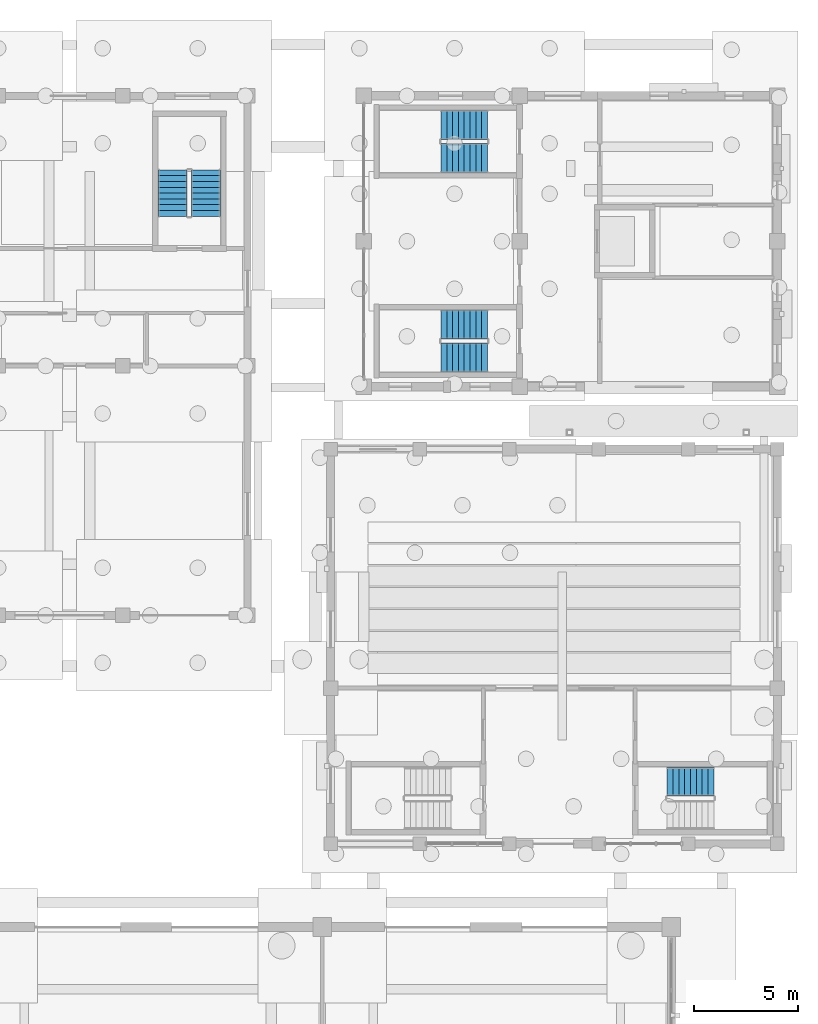
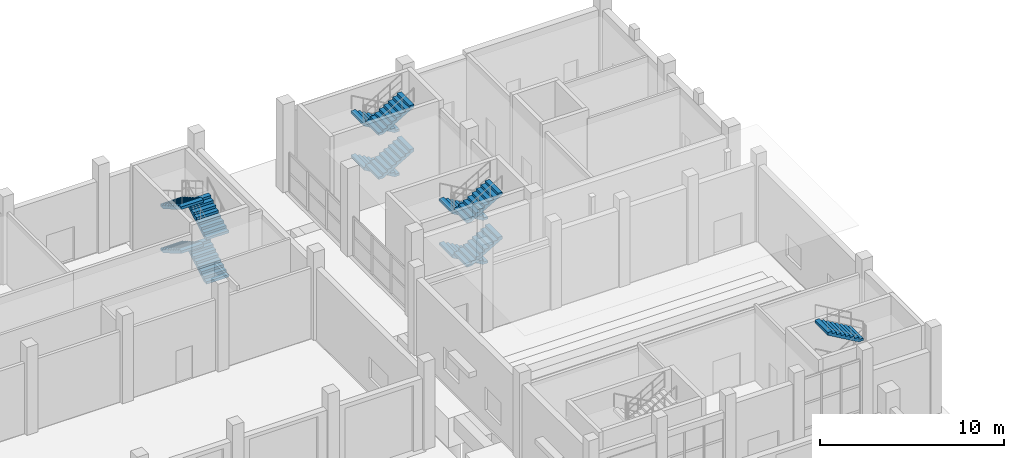
# One storey, part 46 of 60: 13 stair flights, 4 elements without a shape of their own.
"""IFC4 building model written with IfcOpenShell, lengths in metres."""

from ifc_helpers import new_model, si_unit, direction, frame, origin, place, context, subcontext, project, spatial, polyline, outline, extrude, material, type_object, element, aggregate, save


model = new_model("IFC4")

# Units and contexts
model_context = context("Model", 3, precision=1e-05, world=origin(), true_north=direction((0.0, 1.0)))
body_context = subcontext(model_context, "Body", "Model", "MODEL_VIEW")
ifc_project = project(units=[si_unit("LENGTHUNIT", "METRE"), si_unit("AREAUNIT", "SQUARE_METRE"), si_unit("VOLUMEUNIT", "CUBIC_METRE"), si_unit("PLANEANGLEUNIT", "RADIAN"), si_unit("MASSUNIT", "GRAM", prefix="KILO")], contexts=[model_context])

# Site, building, storey
site_placement = place(None, origin())
site = spatial("IfcSite", under=ifc_project, at=site_placement, CompositionType="ELEMENT")
building_placement = place(site_placement, origin())
building = spatial("IfcBuilding", under=site, at=building_placement, Name="Trellovar Central Fire Station", CompositionType="ELEMENT")
storey_placement = place(building_placement, origin())
storey = spatial("IfcBuildingStorey", under=building, at=storey_placement, Name="L01", CompositionType="ELEMENT", Elevation=0.0)

# Stair, stair flights
ifc_material_1 = material(Name="Concrete C40/50", Category="concrete")
stair_type = type_object("IfcStairType", Name="ST-R1625", PredefinedType="HALF_TURN_STAIR", material=ifc_material_1)
stair_1_placement = place(storey_placement, origin())
stair_1 = element("IfcStair", 1, at=stair_1_placement, inside=storey, type_object=stair_type, Name="L01 Protected exit stair ST-05", PredefinedType="HALF_TURN_STAIR")
ifc_material_2 = material(Name="Concrete C40/50", Category="concrete")
stair_flight_type = type_object("IfcStairFlightType", Name="STF-R1625", PredefinedType="STRAIGHT", material=ifc_material_2)
stair_flight_1_placement = place(storey_placement, frame((147.050048828125, 62.0, 0.0), z_axis=(0.0, 0.0, 1.0), x_axis=(-1.0, 0.0, 0.0)))
stair_flight_1 = element("IfcStairFlight", 2, at=stair_flight_1_placement, type_object=stair_flight_type, Name="ST-05 flight 1", NumberOfRisers=9, NumberOfTreads=8, PredefinedType="STRAIGHT", RiserHeight=0.1625, TreadLength=0.28, context=body_context, shape_type="SweptSolid", body=[
    extrude(outline(polyline([(0.0, 0.0), (0.0, 0.16259765625), (0.280029296875, 0.16259765625), (0.280029296875, 0.324951171875), (0.56005859375, 0.324951171875), (0.56005859375, 0.487548828125), (0.840087890625, 0.487548828125), (0.840087890625, 0.64990234375), (1.1201171875, 0.64990234375), (1.1201171875, 0.8125), (1.39990234375, 0.8125), (1.39990234375, 0.97509765625), (1.679931640625, 0.97509765625), (1.679931640625, 1.137451171875), (1.9599609375, 1.137451171875), (1.9599609375, 1.300048828125), (2.239990234375, 1.300048828125), (2.239990234375, 1.46240234375), (2.239990234375, 1.126708984375), (0.298583984375, 0.0), (0.0, 0.0)])), frame((0.0, 0.699951171875, 0.0), z_axis=(0.0, -1.0, 0.0), x_axis=(1.0, 0.0, 0.0)), (0.0, 0.0, 1.0), 1.39990234375),
])
stair_flight_2_placement = place(storey_placement, frame((144.81005859375, 60.39990234375, 1.46240234375), z_axis=(0.0, 0.0, 1.0), x_axis=(1.0, 0.0, 0.0)))
stair_flight_2 = element("IfcStairFlight", 3, at=stair_flight_2_placement, type_object=stair_flight_type, Name="ST-05 flight 2", NumberOfRisers=9, NumberOfTreads=8, PredefinedType="STRAIGHT", RiserHeight=0.1625, TreadLength=0.28, context=body_context, shape_type="SweptSolid", body=[
    extrude(outline(polyline([(0.0, 0.0), (0.0, 0.16259765625), (0.280029296875, 0.16259765625), (0.280029296875, 0.324951171875), (0.56005859375, 0.324951171875), (0.56005859375, 0.487548828125), (0.840087890625, 0.487548828125), (0.840087890625, 0.64990234375), (1.1201171875, 0.64990234375), (1.1201171875, 0.8125), (1.39990234375, 0.8125), (1.39990234375, 0.97509765625), (1.679931640625, 0.97509765625), (1.679931640625, 1.137451171875), (1.9599609375, 1.137451171875), (1.9599609375, 1.300048828125), (2.239990234375, 1.300048828125), (2.239990234375, 1.46240234375), (2.239990234375, 1.126708984375), (0.298583984375, 0.0), (0.0, 0.0)])), frame((0.0, 0.699951171875, 0.0), z_axis=(0.0, -1.0, 0.0), x_axis=(1.0, 0.0, 0.0)), (0.0, 0.0, 1.0), 1.39990234375),
])
stair_flight_3_placement = place(storey_placement, frame((147.050048828125, 62.0, 2.925048828125), z_axis=(0.0, 0.0, 1.0), x_axis=(-1.0, 0.0, 0.0)))
stair_flight_3 = element("IfcStairFlight", 4, at=stair_flight_3_placement, type_object=stair_flight_type, Name="ST-05 flight 3", NumberOfRisers=9, NumberOfTreads=8, PredefinedType="STRAIGHT", RiserHeight=0.1625, TreadLength=0.28, context=body_context, shape_type="SweptSolid", body=[
    extrude(outline(polyline([(0.0, 0.0), (0.0, 0.16259765625), (0.280029296875, 0.16259765625), (0.280029296875, 0.324951171875), (0.56005859375, 0.324951171875), (0.56005859375, 0.487548828125), (0.840087890625, 0.487548828125), (0.840087890625, 0.64990234375), (1.1201171875, 0.64990234375), (1.1201171875, 0.8125), (1.39990234375, 0.8125), (1.39990234375, 0.97509765625), (1.679931640625, 0.97509765625), (1.679931640625, 1.137451171875), (1.9599609375, 1.137451171875), (1.9599609375, 1.300048828125), (2.239990234375, 1.300048828125), (2.239990234375, 1.46240234375), (2.239990234375, 1.126708984375), (0.298583984375, 0.0), (0.0, 0.0)])), frame((0.0, 0.699951171875, 0.0), z_axis=(0.0, -1.0, 0.0), x_axis=(1.0, 0.0, 0.0)), (0.0, 0.0, 1.0), 1.39990234375),
])
stair_flight_4_placement = place(storey_placement, frame((144.81005859375, 60.39990234375, 4.387451171875), z_axis=(0.0, 0.0, 1.0), x_axis=(1.0, 0.0, 0.0)))
stair_flight_4 = element("IfcStairFlight", 5, at=stair_flight_4_placement, type_object=stair_flight_type, Name="ST-05 flight 4", NumberOfRisers=9, NumberOfTreads=8, PredefinedType="STRAIGHT", RiserHeight=0.1625, TreadLength=0.28, context=body_context, shape_type="SweptSolid", body=[
    extrude(outline(polyline([(0.0, 0.0), (0.0, 0.16259765625), (0.280029296875, 0.16259765625), (0.280029296875, 0.324951171875), (0.56005859375, 0.324951171875), (0.56005859375, 0.487548828125), (0.840087890625, 0.487548828125), (0.840087890625, 0.64990234375), (1.1201171875, 0.64990234375), (1.1201171875, 0.8125), (1.39990234375, 0.8125), (1.39990234375, 0.97509765625), (1.679931640625, 0.97509765625), (1.679931640625, 1.137451171875), (1.9599609375, 1.137451171875), (1.9599609375, 1.300048828125), (2.239990234375, 1.300048828125), (2.239990234375, 1.46240234375), (2.239990234375, 1.126708984375), (0.298583984375, 0.0), (0.0, 0.0)])), frame((0.0, 0.699951171875, 0.0), z_axis=(0.0, -1.0, 0.0), x_axis=(1.0, 0.0, 0.0)), (0.0, 0.0, 1.0), 1.39990234375),
])
aggregate(stair_1, [stair_flight_1, stair_flight_2, stair_flight_3, stair_flight_4])

stair_2_placement = place(storey_placement, origin())
stair_2 = element("IfcStair", 6, at=stair_2_placement, inside=storey, type_object=stair_type, Name="L01 Protected exit stair ST-06", PredefinedType="HALF_TURN_STAIR")
stair_flight_5_placement = place(storey_placement, frame((147.050048828125, 71.60009765625, 0.0), z_axis=(0.0, 0.0, 1.0), x_axis=(-1.0, 0.0, 0.0)))
stair_flight_5 = element("IfcStairFlight", 7, at=stair_flight_5_placement, type_object=stair_flight_type, Name="ST-06 flight 1", NumberOfRisers=9, NumberOfTreads=8, PredefinedType="STRAIGHT", RiserHeight=0.1625, TreadLength=0.28, context=body_context, shape_type="SweptSolid", body=[
    extrude(outline(polyline([(0.0, 0.0), (0.0, 0.16259765625), (0.280029296875, 0.16259765625), (0.280029296875, 0.324951171875), (0.56005859375, 0.324951171875), (0.56005859375, 0.487548828125), (0.840087890625, 0.487548828125), (0.840087890625, 0.64990234375), (1.1201171875, 0.64990234375), (1.1201171875, 0.8125), (1.39990234375, 0.8125), (1.39990234375, 0.97509765625), (1.679931640625, 0.97509765625), (1.679931640625, 1.137451171875), (1.9599609375, 1.137451171875), (1.9599609375, 1.300048828125), (2.239990234375, 1.300048828125), (2.239990234375, 1.46240234375), (2.239990234375, 1.126708984375), (0.298583984375, 0.0), (0.0, 0.0)])), frame((0.0, 0.699951171875, 0.0), z_axis=(0.0, -1.0, 0.0), x_axis=(1.0, 0.0, 0.0)), (0.0, 0.0, 1.0), 1.39990234375),
])
stair_flight_6_placement = place(storey_placement, frame((144.81005859375, 70.0, 1.46240234375), z_axis=(0.0, 0.0, 1.0), x_axis=(1.0, 0.0, 0.0)))
stair_flight_6 = element("IfcStairFlight", 8, at=stair_flight_6_placement, type_object=stair_flight_type, Name="ST-06 flight 2", NumberOfRisers=9, NumberOfTreads=8, PredefinedType="STRAIGHT", RiserHeight=0.1625, TreadLength=0.28, context=body_context, shape_type="SweptSolid", body=[
    extrude(outline(polyline([(0.0, 0.0), (0.0, 0.16259765625), (0.280029296875, 0.16259765625), (0.280029296875, 0.324951171875), (0.56005859375, 0.324951171875), (0.56005859375, 0.487548828125), (0.840087890625, 0.487548828125), (0.840087890625, 0.64990234375), (1.1201171875, 0.64990234375), (1.1201171875, 0.8125), (1.39990234375, 0.8125), (1.39990234375, 0.97509765625), (1.679931640625, 0.97509765625), (1.679931640625, 1.137451171875), (1.9599609375, 1.137451171875), (1.9599609375, 1.300048828125), (2.239990234375, 1.300048828125), (2.239990234375, 1.46240234375), (2.239990234375, 1.126708984375), (0.298583984375, 0.0), (0.0, 0.0)])), frame((0.0, 0.699951171875, 0.0), z_axis=(0.0, -1.0, 0.0), x_axis=(1.0, 0.0, 0.0)), (0.0, 0.0, 1.0), 1.39990234375),
])
stair_flight_7_placement = place(storey_placement, frame((147.050048828125, 71.60009765625, 2.925048828125), z_axis=(0.0, 0.0, 1.0), x_axis=(-1.0, 0.0, 0.0)))
stair_flight_7 = element("IfcStairFlight", 9, at=stair_flight_7_placement, type_object=stair_flight_type, Name="ST-06 flight 3", NumberOfRisers=9, NumberOfTreads=8, PredefinedType="STRAIGHT", RiserHeight=0.1625, TreadLength=0.28, context=body_context, shape_type="SweptSolid", body=[
    extrude(outline(polyline([(0.0, 0.0), (0.0, 0.16259765625), (0.280029296875, 0.16259765625), (0.280029296875, 0.324951171875), (0.56005859375, 0.324951171875), (0.56005859375, 0.487548828125), (0.840087890625, 0.487548828125), (0.840087890625, 0.64990234375), (1.1201171875, 0.64990234375), (1.1201171875, 0.8125), (1.39990234375, 0.8125), (1.39990234375, 0.97509765625), (1.679931640625, 0.97509765625), (1.679931640625, 1.137451171875), (1.9599609375, 1.137451171875), (1.9599609375, 1.300048828125), (2.239990234375, 1.300048828125), (2.239990234375, 1.46240234375), (2.239990234375, 1.126708984375), (0.298583984375, 0.0), (0.0, 0.0)])), frame((0.0, 0.699951171875, 0.0), z_axis=(0.0, -1.0, 0.0), x_axis=(1.0, 0.0, 0.0)), (0.0, 0.0, 1.0), 1.39990234375),
])
stair_flight_8_placement = place(storey_placement, frame((144.81005859375, 70.0, 4.387451171875), z_axis=(0.0, 0.0, 1.0), x_axis=(1.0, 0.0, 0.0)))
stair_flight_8 = element("IfcStairFlight", 10, at=stair_flight_8_placement, type_object=stair_flight_type, Name="ST-06 flight 4", NumberOfRisers=9, NumberOfTreads=8, PredefinedType="STRAIGHT", RiserHeight=0.1625, TreadLength=0.28, context=body_context, shape_type="SweptSolid", body=[
    extrude(outline(polyline([(0.0, 0.0), (0.0, 0.16259765625), (0.280029296875, 0.16259765625), (0.280029296875, 0.324951171875), (0.56005859375, 0.324951171875), (0.56005859375, 0.487548828125), (0.840087890625, 0.487548828125), (0.840087890625, 0.64990234375), (1.1201171875, 0.64990234375), (1.1201171875, 0.8125), (1.39990234375, 0.8125), (1.39990234375, 0.97509765625), (1.679931640625, 0.97509765625), (1.679931640625, 1.137451171875), (1.9599609375, 1.137451171875), (1.9599609375, 1.300048828125), (2.239990234375, 1.300048828125), (2.239990234375, 1.46240234375), (2.239990234375, 1.126708984375), (0.298583984375, 0.0), (0.0, 0.0)])), frame((0.0, 0.699951171875, 0.0), z_axis=(0.0, -1.0, 0.0), x_axis=(1.0, 0.0, 0.0)), (0.0, 0.0, 1.0), 1.39990234375),
])
aggregate(stair_2, [stair_flight_5, stair_flight_6, stair_flight_7, stair_flight_8])

stair_3_placement = place(storey_placement, origin())
stair_3 = element("IfcStair", 11, at=stair_3_placement, inside=storey, type_object=stair_type, Name="L01 Protected exit stair ST-08", PredefinedType="HALF_TURN_STAIR")
stair_flight_9_placement = place(storey_placement, frame((133.5, 67.199951171875, 0.0), z_axis=(0.0, 0.0, 1.0), x_axis=(0.0, 1.0, 0.0)))
stair_flight_9 = element("IfcStairFlight", 12, at=stair_flight_9_placement, type_object=stair_flight_type, Name="ST-08 flight 1", NumberOfRisers=9, NumberOfTreads=8, PredefinedType="STRAIGHT", RiserHeight=0.1625, TreadLength=0.28, context=body_context, shape_type="SweptSolid", body=[
    extrude(outline(polyline([(0.0, 0.0), (0.0, 0.16259765625), (0.280029296875, 0.16259765625), (0.280029296875, 0.324951171875), (0.56005859375, 0.324951171875), (0.56005859375, 0.487548828125), (0.840087890625, 0.487548828125), (0.840087890625, 0.64990234375), (1.1201171875, 0.64990234375), (1.1201171875, 0.8125), (1.39990234375, 0.8125), (1.39990234375, 0.97509765625), (1.679931640625, 0.97509765625), (1.679931640625, 1.137451171875), (1.9599609375, 1.137451171875), (1.9599609375, 1.300048828125), (2.239990234375, 1.300048828125), (2.239990234375, 1.46240234375), (2.239990234375, 1.126708984375), (0.298583984375, 0.0), (0.0, 0.0)])), frame((0.0, 0.699951171875, 0.0), z_axis=(0.0, -1.0, 0.0), x_axis=(1.0, 0.0, 0.0)), (0.0, 0.0, 1.0), 1.39990234375),
])
stair_flight_10_placement = place(storey_placement, frame((131.89990234375, 69.43994140625, 1.46240234375), z_axis=(0.0, 0.0, 1.0), x_axis=(0.0, -1.0, 0.0)))
stair_flight_10 = element("IfcStairFlight", 13, at=stair_flight_10_placement, type_object=stair_flight_type, Name="ST-08 flight 2", NumberOfRisers=9, NumberOfTreads=8, PredefinedType="STRAIGHT", RiserHeight=0.1625, TreadLength=0.28, context=body_context, shape_type="SweptSolid", body=[
    extrude(outline(polyline([(0.0, 0.0), (0.0, 0.16259765625), (0.280029296875, 0.16259765625), (0.280029296875, 0.324951171875), (0.56005859375, 0.324951171875), (0.56005859375, 0.487548828125), (0.840087890625, 0.487548828125), (0.840087890625, 0.64990234375), (1.1201171875, 0.64990234375), (1.1201171875, 0.8125), (1.39990234375, 0.8125), (1.39990234375, 0.97509765625), (1.679931640625, 0.97509765625), (1.679931640625, 1.137451171875), (1.9599609375, 1.137451171875), (1.9599609375, 1.300048828125), (2.239990234375, 1.300048828125), (2.239990234375, 1.46240234375), (2.239990234375, 1.126708984375), (0.298583984375, 0.0), (0.0, 0.0)])), frame((0.0, 0.699951171875, 0.0), z_axis=(0.0, -1.0, 0.0), x_axis=(1.0, 0.0, 0.0)), (0.0, 0.0, 1.0), 1.39990234375),
])
stair_flight_11_placement = place(storey_placement, frame((133.5, 67.199951171875, 2.925048828125), z_axis=(0.0, 0.0, 1.0), x_axis=(0.0, 1.0, 0.0)))
stair_flight_11 = element("IfcStairFlight", 14, at=stair_flight_11_placement, type_object=stair_flight_type, Name="ST-08 flight 3", NumberOfRisers=9, NumberOfTreads=8, PredefinedType="STRAIGHT", RiserHeight=0.1625, TreadLength=0.28, context=body_context, shape_type="SweptSolid", body=[
    extrude(outline(polyline([(0.0, 0.0), (0.0, 0.16259765625), (0.280029296875, 0.16259765625), (0.280029296875, 0.324951171875), (0.56005859375, 0.324951171875), (0.56005859375, 0.487548828125), (0.840087890625, 0.487548828125), (0.840087890625, 0.64990234375), (1.1201171875, 0.64990234375), (1.1201171875, 0.8125), (1.39990234375, 0.8125), (1.39990234375, 0.97509765625), (1.679931640625, 0.97509765625), (1.679931640625, 1.137451171875), (1.9599609375, 1.137451171875), (1.9599609375, 1.300048828125), (2.239990234375, 1.300048828125), (2.239990234375, 1.46240234375), (2.239990234375, 1.126708984375), (0.298583984375, 0.0), (0.0, 0.0)])), frame((0.0, 0.699951171875, 0.0), z_axis=(0.0, -1.0, 0.0), x_axis=(1.0, 0.0, 0.0)), (0.0, 0.0, 1.0), 1.39990234375),
])
stair_flight_12_placement = place(storey_placement, frame((131.89990234375, 69.43994140625, 4.387451171875), z_axis=(0.0, 0.0, 1.0), x_axis=(0.0, -1.0, 0.0)))
stair_flight_12 = element("IfcStairFlight", 15, at=stair_flight_12_placement, type_object=stair_flight_type, Name="ST-08 flight 4", NumberOfRisers=9, NumberOfTreads=8, PredefinedType="STRAIGHT", RiserHeight=0.1625, TreadLength=0.28, context=body_context, shape_type="SweptSolid", body=[
    extrude(outline(polyline([(0.0, 0.0), (0.0, 0.16259765625), (0.280029296875, 0.16259765625), (0.280029296875, 0.324951171875), (0.56005859375, 0.324951171875), (0.56005859375, 0.487548828125), (0.840087890625, 0.487548828125), (0.840087890625, 0.64990234375), (1.1201171875, 0.64990234375), (1.1201171875, 0.8125), (1.39990234375, 0.8125), (1.39990234375, 0.97509765625), (1.679931640625, 0.97509765625), (1.679931640625, 1.137451171875), (1.9599609375, 1.137451171875), (1.9599609375, 1.300048828125), (2.239990234375, 1.300048828125), (2.239990234375, 1.46240234375), (2.239990234375, 1.126708984375), (0.298583984375, 0.0), (0.0, 0.0)])), frame((0.0, 0.699951171875, 0.0), z_axis=(0.0, -1.0, 0.0), x_axis=(1.0, 0.0, 0.0)), (0.0, 0.0, 1.0), 1.39990234375),
])
aggregate(stair_3, [stair_flight_9, stair_flight_10, stair_flight_11, stair_flight_12])

# Stair, stair flight
stair_4_placement = place(storey_placement, origin())
stair_4 = element("IfcStair", 16, at=stair_4_placement, inside=storey, type_object=stair_type, Name="L01 Protected exit stair ST-10", PredefinedType="HALF_TURN_STAIR")
stair_flight_13_placement = place(storey_placement, frame((157.93994140625, 40.0, 4.387451171875), z_axis=(0.0, 0.0, 1.0), x_axis=(-1.0, 0.0, 0.0)))
stair_flight_13 = element("IfcStairFlight", 17, at=stair_flight_13_placement, type_object=stair_flight_type, Name="ST-10 flight 4", NumberOfRisers=9, NumberOfTreads=8, PredefinedType="STRAIGHT", RiserHeight=0.1625, TreadLength=0.28, context=body_context, shape_type="SweptSolid", body=[
    extrude(outline(polyline([(0.0, 0.0), (0.0, 0.16259765625), (0.280029296875, 0.16259765625), (0.280029296875, 0.324951171875), (0.56005859375, 0.324951171875), (0.56005859375, 0.487548828125), (0.840087890625, 0.487548828125), (0.840087890625, 0.64990234375), (1.1201171875, 0.64990234375), (1.1201171875, 0.8125), (1.39990234375, 0.8125), (1.39990234375, 0.97509765625), (1.679931640625, 0.97509765625), (1.679931640625, 1.137451171875), (1.9599609375, 1.137451171875), (1.9599609375, 1.300048828125), (2.239990234375, 1.300048828125), (2.239990234375, 1.46240234375), (2.239990234375, 1.126708984375), (0.298583984375, 0.0), (0.0, 0.0)])), frame((0.0, 0.699951171875, 0.0), z_axis=(0.0, -1.0, 0.0), x_axis=(1.0, 0.0, 0.0)), (0.0, 0.0, 1.0), 1.39990234375),
])
aggregate(stair_4, [stair_flight_13])

save(model, "model.ifc")
